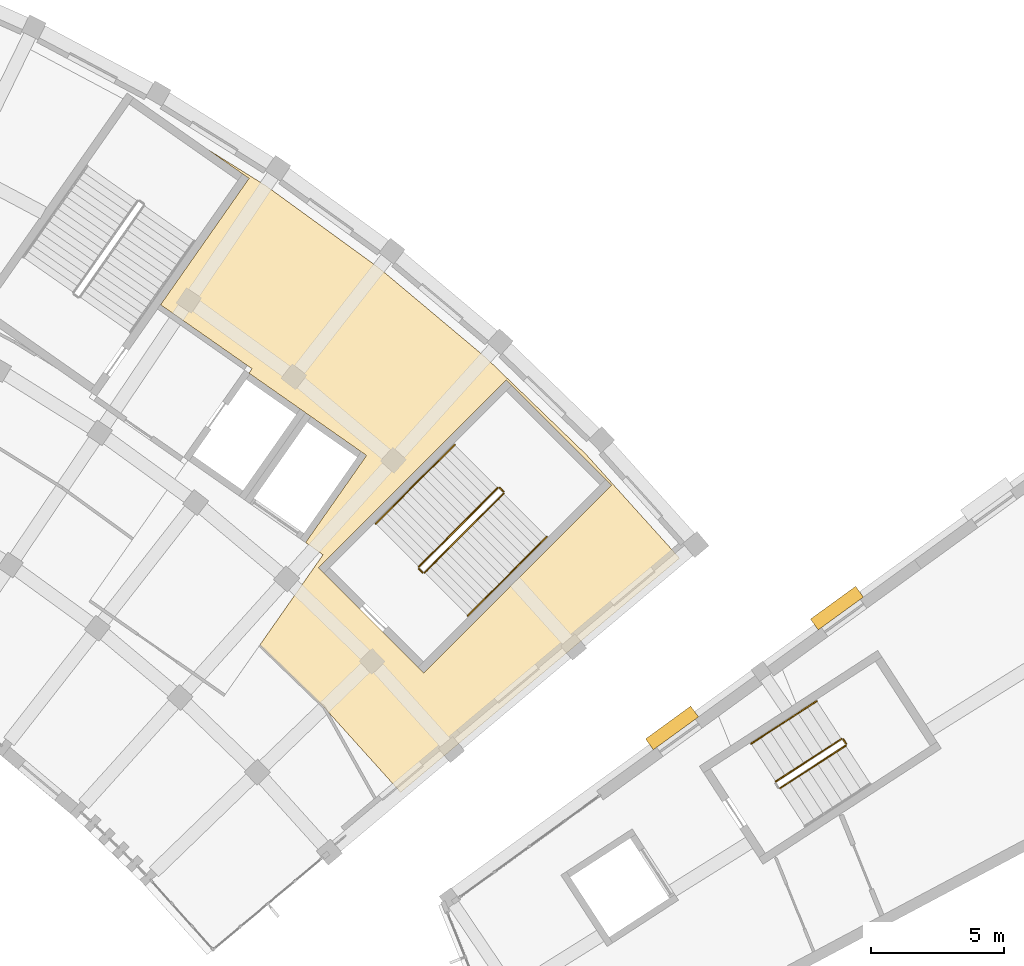
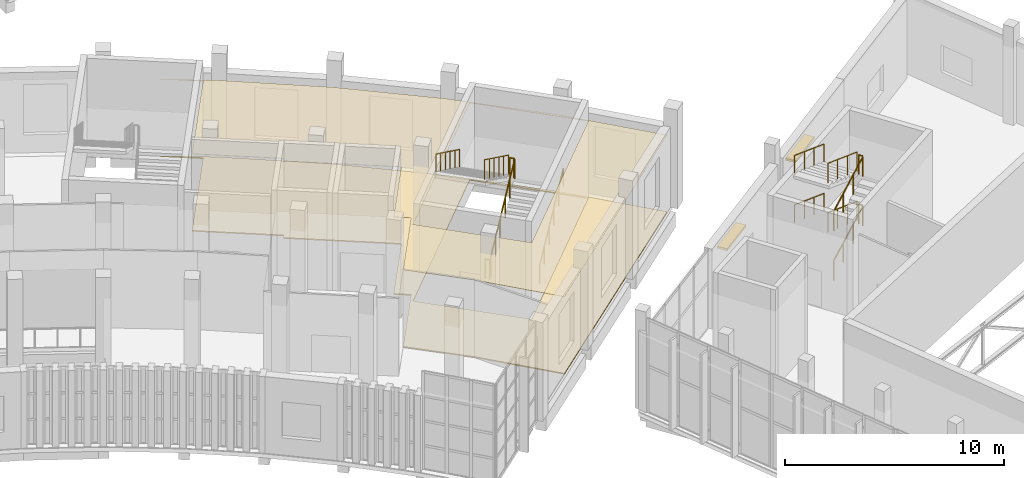
# One storey, part 104 of 112: 14 railings, 2 coverings, 2 shading devices.
"""IFC4 building model written with IfcOpenShell, lengths in metres."""

from ifc_helpers import new_model, si_unit, direction, frame, origin, origin_2d, place, context, subcontext, project, spatial, polyline, rectangle, circle, outline, extrude, material, layer, layer_set, type_object, element, save


model = new_model("IFC4")

# Units and contexts
model_context = context("Model", 3, precision=1e-05, world=origin(), true_north=direction((0.0, 1.0)))
body_context = subcontext(model_context, "Body", "Model", "MODEL_VIEW")
ifc_project = project(units=[si_unit("LENGTHUNIT", "METRE"), si_unit("AREAUNIT", "SQUARE_METRE"), si_unit("VOLUMEUNIT", "CUBIC_METRE"), si_unit("PLANEANGLEUNIT", "RADIAN"), si_unit("MASSUNIT", "GRAM", prefix="KILO")], contexts=[model_context])

# Site, building, storey
site_placement = place(None, origin())
site = spatial("IfcSite", under=ifc_project, at=site_placement, CompositionType="ELEMENT")
building_placement = place(site_placement, origin())
building = spatial("IfcBuilding", under=site, at=building_placement, Name="Lunette Opera House", CompositionType="ELEMENT")
storey_placement = place(building_placement, frame((0.0, 0.0, 6.0)))
storey = spatial("IfcBuildingStorey", under=building, at=storey_placement, Name="L01", CompositionType="ELEMENT", Elevation=6.0)

# Railings
ifc_material_1 = material(Name="Steel S355", Category="steel")
railing_type_1 = type_object("IfcRailingType", Name="STAIR GUARD 1100", PredefinedType="GUARDRAIL", material=ifc_material_1)
railing_1_placement = place(storey_placement, frame((157.38818359375, 39.686767578125, 0.171875)))
element("IfcRailing", 1, at=railing_1_placement, inside=storey, type_object=railing_type_1, Name="L01 ST21 stair guard 1", PredefinedType="GUARDRAIL", context=body_context, shape_type="SweptSolid", body=[
    extrude(circle(Radius=0.02392578125, at=origin_2d()), frame((0.0, 0.0, 1.076171875), z_axis=(0.776167955347, 0.504097991794, 0.378745983162), x_axis=(-0.544675991122, 0.838646567211, 0.0)), (0.0, 0.0, 1.0), 3.176513671875),
    extrude(circle(Radius=0.02099609375, at=origin_2d()), origin(), (0.0, 0.0, 1.0), 1.052001953125),
    extrude(circle(Radius=0.02099609375, at=origin_2d()), frame((0.82177734375, 0.53369140625, 0.401123046875)), (0.0, 0.0, 1.0), 1.052001953125),
    extrude(circle(Radius=0.02099609375, at=origin_2d()), frame((1.643798828125, 1.067626953125, 0.802001953125)), (0.0, 0.0, 1.0), 1.052001953125),
    extrude(circle(Radius=0.02099609375, at=origin_2d()), frame((2.465576171875, 1.601318359375, 1.203125)), (0.0, 0.0, 1.0), 1.052001953125),
])
railing_2_placement = place(storey_placement, frame((159.86865234375, 41.357177734375, 1.375)))
element("IfcRailing", 2, at=railing_2_placement, inside=storey, type_object=railing_type_1, Name="L01 ST21 stair guard 2", PredefinedType="GUARDRAIL", context=body_context, shape_type="SweptSolid", body=[
    extrude(circle(Radius=0.02392578125, at=origin_2d()), frame((0.0, 0.0, 1.076171875), z_axis=(-0.545116651234, 0.83836020692, 0.0), x_axis=(-0.83836020692, -0.545116651234, 0.0)), (0.0, 0.0, 1.0), 0.20068359375),
    extrude(circle(Radius=0.02099609375, at=origin_2d()), origin(), (0.0, 0.0, 1.0), 1.052001953125),
    extrude(circle(Radius=0.02099609375, at=origin_2d()), frame((-0.109375, 0.168212890625, 0.0)), (0.0, 0.0, 1.0), 1.052001953125),
])
railing_3_placement = place(storey_placement, frame((159.690185546875, 41.5400390625, 1.546875)))
element("IfcRailing", 3, at=railing_3_placement, inside=storey, type_object=railing_type_1, Name="L01 ST21 stair guard 3", PredefinedType="GUARDRAIL", context=body_context, shape_type="SweptSolid", body=[
    extrude(circle(Radius=0.02392578125, at=origin_2d()), frame((0.0, 0.0, 1.076171875), z_axis=(-0.776167955347, -0.504097991794, 0.378745983162), x_axis=(0.544675991122, -0.838646567211, 0.0)), (0.0, 0.0, 1.0), 3.176513671875),
    extrude(circle(Radius=0.02099609375, at=origin_2d()), origin(), (0.0, 0.0, 1.0), 1.052001953125),
    extrude(circle(Radius=0.02099609375, at=origin_2d()), frame((-0.82177734375, -0.53369140625, 0.401123046875)), (0.0, 0.0, 1.0), 1.052001953125),
    extrude(circle(Radius=0.02099609375, at=origin_2d()), frame((-1.643798828125, -1.067626953125, 0.802001953125)), (0.0, 0.0, 1.0), 1.052001953125),
    extrude(circle(Radius=0.02099609375, at=origin_2d()), frame((-2.465576171875, -1.601318359375, 1.203125)), (0.0, 0.0, 1.0), 1.052001953125),
])
railing_4_placement = place(storey_placement, frame((157.38818359375, 39.686767578125, 2.921875)))
element("IfcRailing", 4, at=railing_4_placement, inside=storey, type_object=railing_type_1, Name="L01 ST21 stair guard 5", PredefinedType="GUARDRAIL", context=body_context, shape_type="SweptSolid", body=[
    extrude(circle(Radius=0.02392578125, at=origin_2d()), frame((0.0, 0.0, 1.076171875), z_axis=(0.776167955347, 0.504097991794, 0.378745983162), x_axis=(-0.544675991122, 0.838646567211, 0.0)), (0.0, 0.0, 1.0), 3.176513671875),
    extrude(circle(Radius=0.02099609375, at=origin_2d()), origin(), (0.0, 0.0, 1.0), 1.052001953125),
    extrude(circle(Radius=0.02099609375, at=origin_2d()), frame((0.82177734375, 0.53369140625, 0.401123046875)), (0.0, 0.0, 1.0), 1.052001953125),
    extrude(circle(Radius=0.02099609375, at=origin_2d()), frame((1.643798828125, 1.067626953125, 0.802001953125)), (0.0, 0.0, 1.0), 1.052001953125),
    extrude(circle(Radius=0.02099609375, at=origin_2d()), frame((2.465576171875, 1.601318359375, 1.203125)), (0.0, 0.0, 1.0), 1.052001953125),
])
railing_5_placement = place(storey_placement, frame((159.86865234375, 41.357177734375, 4.125)))
element("IfcRailing", 5, at=railing_5_placement, inside=storey, type_object=railing_type_1, Name="L01 ST21 stair guard 6", PredefinedType="GUARDRAIL", context=body_context, shape_type="SweptSolid", body=[
    extrude(circle(Radius=0.02392578125, at=origin_2d()), frame((0.0, 0.0, 1.076171875), z_axis=(-0.545116651234, 0.83836020692, 0.0), x_axis=(-0.83836020692, -0.545116651234, 0.0)), (0.0, 0.0, 1.0), 0.20068359375),
    extrude(circle(Radius=0.02099609375, at=origin_2d()), origin(), (0.0, 0.0, 1.0), 1.052001953125),
    extrude(circle(Radius=0.02099609375, at=origin_2d()), frame((-0.109375, 0.168212890625, 0.0)), (0.0, 0.0, 1.0), 1.052001953125),
])
railing_6_placement = place(storey_placement, frame((159.690185546875, 41.5400390625, 4.296875)))
element("IfcRailing", 6, at=railing_6_placement, inside=storey, type_object=railing_type_1, Name="L01 ST21 stair guard 7", PredefinedType="GUARDRAIL", context=body_context, shape_type="SweptSolid", body=[
    extrude(circle(Radius=0.02392578125, at=origin_2d()), frame((0.0, 0.0, 1.076171875), z_axis=(-0.776167955347, -0.504097991794, 0.378745983162), x_axis=(0.544675991122, -0.838646567211, 0.0)), (0.0, 0.0, 1.0), 3.176513671875),
    extrude(circle(Radius=0.02099609375, at=origin_2d()), origin(), (0.0, 0.0, 1.0), 1.052001953125),
    extrude(circle(Radius=0.02099609375, at=origin_2d()), frame((-0.82177734375, -0.53369140625, 0.401123046875)), (0.0, 0.0, 1.0), 1.052001953125),
    extrude(circle(Radius=0.02099609375, at=origin_2d()), frame((-1.643798828125, -1.067626953125, 0.802001953125)), (0.0, 0.0, 1.0), 1.052001953125),
    extrude(circle(Radius=0.02099609375, at=origin_2d()), frame((-2.465576171875, -1.601318359375, 1.203125)), (0.0, 0.0, 1.0), 1.052001953125),
])
railing_7_placement = place(storey_placement, frame((144.012451171875, 47.800048828125, 0.171875)))
element("IfcRailing", 7, at=railing_7_placement, inside=storey, type_object=railing_type_1, Name="L01 ST4 stair guard 1", PredefinedType="GUARDRAIL", context=body_context, shape_type="SweptSolid", body=[
    extrude(circle(Radius=0.02392578125, at=origin_2d()), frame((0.0, 0.0, 1.076171875), z_axis=(0.602621891009, 0.602621891009, 0.523157445664), x_axis=(-0.707106781187, 0.707106781187, 0.0)), (0.0, 0.0, 1.0), 4.927978515625),
    extrude(circle(Radius=0.02099609375, at=origin_2d()), origin(), (0.0, 0.0, 1.0), 1.052001953125),
    extrude(circle(Radius=0.02099609375, at=origin_2d()), frame((0.593994140625, 0.593994140625, 0.515625)), (0.0, 0.0, 1.0), 1.052001953125),
    extrude(circle(Radius=0.02099609375, at=origin_2d()), frame((1.18798828125, 1.18798828125, 1.03125)), (0.0, 0.0, 1.0), 1.052001953125),
    extrude(circle(Radius=0.02099609375, at=origin_2d()), frame((1.78173828125, 1.78173828125, 1.546875)), (0.0, 0.0, 1.0), 1.052001953125),
    extrude(circle(Radius=0.02099609375, at=origin_2d()), frame((2.375732421875, 2.375732421875, 2.0625)), (0.0, 0.0, 1.0), 1.052001953125),
    extrude(circle(Radius=0.02099609375, at=origin_2d()), frame((2.9697265625, 2.9697265625, 2.578125)), (0.0, 0.0, 1.0), 1.052001953125),
])
railing_8_placement = place(storey_placement, frame((146.982177734375, 50.840576171875, 2.75)))
element("IfcRailing", 8, at=railing_8_placement, inside=storey, type_object=railing_type_1, Name="L01 ST4 stair guard 2", PredefinedType="GUARDRAIL", context=body_context, shape_type="SweptSolid", body=[
    extrude(circle(Radius=0.02392578125, at=origin_2d()), frame((0.0, 0.0, 1.076171875), z_axis=(-0.707106781187, 0.707106781187, 0.0), x_axis=(-0.707106781187, -0.707106781187, 0.0)), (0.0, 0.0, 1.0), 0.2001953125),
    extrude(circle(Radius=0.02099609375, at=origin_2d()), origin(), (0.0, 0.0, 1.0), 1.052001953125),
    extrude(circle(Radius=0.02099609375, at=origin_2d()), frame((-0.1416015625, 0.1416015625, 0.0)), (0.0, 0.0, 1.0), 1.052001953125),
])
railing_9_placement = place(storey_placement, frame((146.769775390625, 50.982177734375, 2.921875)))
element("IfcRailing", 9, at=railing_9_placement, inside=storey, type_object=railing_type_1, Name="L01 ST4 stair guard 3", PredefinedType="GUARDRAIL", context=body_context, shape_type="SweptSolid", body=[
    extrude(circle(Radius=0.02392578125, at=origin_2d()), frame((0.0, 0.0, 1.076171875), z_axis=(-0.602621891009, -0.602621891009, 0.523157445664), x_axis=(0.707106781187, -0.707106781187, 0.0)), (0.0, 0.0, 1.0), 4.927978515625),
    extrude(circle(Radius=0.02099609375, at=origin_2d()), origin(), (0.0, 0.0, 1.0), 1.052001953125),
    extrude(circle(Radius=0.02099609375, at=origin_2d()), frame((-0.593994140625, -0.593994140625, 0.515625)), (0.0, 0.0, 1.0), 1.052001953125),
    extrude(circle(Radius=0.02099609375, at=origin_2d()), frame((-1.18798828125, -1.18798828125, 1.03125)), (0.0, 0.0, 1.0), 1.052001953125),
    extrude(circle(Radius=0.02099609375, at=origin_2d()), frame((-1.78173828125, -1.78173828125, 1.546875)), (0.0, 0.0, 1.0), 1.052001953125),
    extrude(circle(Radius=0.02099609375, at=origin_2d()), frame((-2.375732421875, -2.375732421875, 2.0625)), (0.0, 0.0, 1.0), 1.052001953125),
    extrude(circle(Radius=0.02099609375, at=origin_2d()), frame((-2.9697265625, -2.9697265625, 2.578125)), (0.0, 0.0, 1.0), 1.052001953125),
])
railing_10_placement = place(storey_placement, frame((143.941650390625, 47.800048828125, 0.0)))
element("IfcRailing", 10, at=railing_10_placement, inside=storey, type_object=railing_type_1, Name="L01 ST4 stair guard 4", PredefinedType="GUARDRAIL", context=body_context, shape_type="SweptSolid", body=[
    extrude(circle(Radius=0.02392578125, at=origin_2d()), frame((0.0, 0.0, 1.076171875), z_axis=(-0.707106781187, 0.707106781187, 0.0), x_axis=(-0.707106781187, -0.707106781187, 0.0)), (0.0, 0.0, 1.0), 0.2001953125),
    extrude(circle(Radius=0.02099609375, at=origin_2d()), origin(), (0.0, 0.0, 1.0), 1.052001953125),
    extrude(circle(Radius=0.02099609375, at=origin_2d()), frame((-0.1416015625, 0.1416015625, 0.0)), (0.0, 0.0, 1.0), 1.052001953125),
])
ifc_material_2 = material(Name="Steel S355", Category="steel")
railing_type_2 = type_object("IfcRailingType", Name="STAIR HANDRAIL 1000", PredefinedType="HANDRAIL", material=ifc_material_2)
for number, where, name in (
    (11, (158.76416015625, 42.9658203125, 1.546875), "L01 ST21 stair handrail 2"),
    (12, (158.76416015625, 42.9658203125, 4.296875), "L01 ST21 stair handrail 4"),
):
    element("IfcRailing", number, at=place(storey_placement, frame(where)), inside=storey, type_object=railing_type_2, Name=name, PredefinedType="HANDRAIL", context=body_context, shape_type="SweptSolid", body=[
        extrude(circle(Radius=0.02392578125, at=origin_2d()), frame((0.0, 0.0, 0.97607421875), z_axis=(-0.776137883793, -0.504155314158, 0.378731309172), x_axis=(0.544734393305, -0.83860863384, 0.0)), (0.0, 0.0, 1.0), 3.1767578125),
        extrude(circle(Radius=0.02099609375, at=origin_2d()), origin(), (0.0, 0.0, 1.0), 0.951904296875),
        extrude(circle(Radius=0.02099609375, at=origin_2d()), frame((-0.82177734375, -0.533935546875, 0.401123046875)), (0.0, 0.0, 1.0), 0.951904296875),
        extrude(circle(Radius=0.02099609375, at=origin_2d()), frame((-1.643798828125, -1.067626953125, 0.802001953125)), (0.0, 0.0, 1.0), 0.951904296875),
        extrude(circle(Radius=0.02099609375, at=origin_2d()), frame((-2.465576171875, -1.6015625, 1.203125)), (0.0, 0.0, 1.0), 0.951904296875),
    ])
railing_11_placement = place(storey_placement, frame((145.638671875, 46.173583984375, 0.171875)))
element("IfcRailing", 13, at=railing_11_placement, inside=storey, type_object=railing_type_2, Name="L01 ST4 stair handrail 1", PredefinedType="HANDRAIL", context=body_context, shape_type="SweptSolid", body=[
    extrude(circle(Radius=0.02392578125, at=origin_2d()), frame((0.0, 0.0, 0.97607421875), z_axis=(0.602635448971, 0.602635448971, 0.523126209711), x_axis=(-0.707106781187, 0.707106781187, 0.0)), (0.0, 0.0, 1.0), 4.92822265625),
    extrude(circle(Radius=0.02099609375, at=origin_2d()), origin(), (0.0, 0.0, 1.0), 0.951904296875),
    extrude(circle(Radius=0.02099609375, at=origin_2d()), frame((0.593994140625, 0.593994140625, 0.515625)), (0.0, 0.0, 1.0), 0.951904296875),
    extrude(circle(Radius=0.02099609375, at=origin_2d()), frame((1.18798828125, 1.18798828125, 1.03125)), (0.0, 0.0, 1.0), 0.951904296875),
    extrude(circle(Radius=0.02099609375, at=origin_2d()), frame((1.781982421875, 1.781982421875, 1.546875)), (0.0, 0.0, 1.0), 0.951904296875),
    extrude(circle(Radius=0.02099609375, at=origin_2d()), frame((2.3759765625, 2.3759765625, 2.0625)), (0.0, 0.0, 1.0), 0.951904296875),
    extrude(circle(Radius=0.02099609375, at=origin_2d()), frame((2.969970703125, 2.969970703125, 2.578125)), (0.0, 0.0, 1.0), 0.951904296875),
])
railing_12_placement = place(storey_placement, frame((145.1435546875, 52.608642578125, 2.921875)))
element("IfcRailing", 14, at=railing_12_placement, inside=storey, type_object=railing_type_2, Name="L01 ST4 stair handrail 2", PredefinedType="HANDRAIL", context=body_context, shape_type="SweptSolid", body=[
    extrude(circle(Radius=0.02392578125, at=origin_2d()), frame((0.0, 0.0, 0.97607421875), z_axis=(-0.602635448971, -0.602635448971, 0.523126209711), x_axis=(0.707106781187, -0.707106781187, 0.0)), (0.0, 0.0, 1.0), 4.92822265625),
    extrude(circle(Radius=0.02099609375, at=origin_2d()), origin(), (0.0, 0.0, 1.0), 0.951904296875),
    extrude(circle(Radius=0.02099609375, at=origin_2d()), frame((-0.593994140625, -0.593994140625, 0.515625)), (0.0, 0.0, 1.0), 0.951904296875),
    extrude(circle(Radius=0.02099609375, at=origin_2d()), frame((-1.18798828125, -1.18798828125, 1.03125)), (0.0, 0.0, 1.0), 0.951904296875),
    extrude(circle(Radius=0.02099609375, at=origin_2d()), frame((-1.781982421875, -1.781982421875, 1.546875)), (0.0, 0.0, 1.0), 0.951904296875),
    extrude(circle(Radius=0.02099609375, at=origin_2d()), frame((-2.3759765625, -2.3759765625, 2.0625)), (0.0, 0.0, 1.0), 0.951904296875),
    extrude(circle(Radius=0.02099609375, at=origin_2d()), frame((-2.969970703125, -2.969970703125, 2.578125)), (0.0, 0.0, 1.0), 0.951904296875),
])

# Coverings
ifc_material_3 = material(Name="Mineral fibre board")
ifc_layer_1 = layer(ifc_material_3, 0.014892578125)
ifc_layer_set_1 = layer_set([ifc_layer_1], Name="Mineral fibre board")
covering_type_1 = type_object("IfcCoveringType", Name="SUSPENDED ACOUSTIC CEILING 15", PredefinedType="CEILING", material=ifc_layer_set_1)
covering_1_placement = place(storey_placement, frame((0.0, 0.0, 4.31494140625)))
element("IfcCovering", 15, at=covering_1_placement, inside=storey, type_object=covering_type_1, Name="Ceiling Promenade Foyer L01 Rear", PredefinedType="CEILING", context=body_context, shape_type="SweptSolid", body=[
    extrude(outline(polyline([(141.8310546875, 52.202880859375), (139.537109375, 53.80908203125), (137.407958984375, 55.300048828125), (137.52294921875, 55.464111328125), (134.08203125, 57.8740234375), (137.408935546875, 62.625), (135.81396484375, 63.741943359375), (138.051025390625, 62.343994140625), (142.298095703125, 59.258056640625), (146.319091796875, 55.884033203125), (150.093994140625, 52.238037109375), (153.60595703125, 48.337890625), (145.027099609375, 41.137939453125), (143.112060546875, 39.531005859375), (140.239013671875, 42.720947265625), (137.81103515625, 45.06689453125), (140.19189453125, 48.468017578125), (139.537109375, 48.927001953125), (141.8310546875, 52.202880859375)]), holes=[polyline([(151.048095703125, 51.087890625), (147.087890625, 55.048095703125), (140.01708984375, 47.97705078125), (143.97705078125, 44.01708984375), (151.048095703125, 51.087890625)])]), origin(), (0.0, 0.0, 1.0), 0.01513671875),
])
ifc_material_4 = material(Name="Terrazzo")
ifc_layer_2 = layer(ifc_material_4, 0.06005859375)
ifc_layer_set_2 = layer_set([ifc_layer_2], Name="Terrazzo")
covering_type_2 = type_object("IfcCoveringType", Name="TERRAZZO FLOOR FINISH 60", PredefinedType="FLOORING", material=ifc_layer_set_2)
covering_2_placement = place(storey_placement, origin())
element("IfcCovering", 16, at=covering_2_placement, inside=storey, type_object=covering_type_2, Name="Floor finish Promenade Foyer L01 Rear", PredefinedType="FLOORING", context=body_context, shape_type="SweptSolid", body=[
    extrude(outline(polyline([(141.8310546875, 52.202880859375), (139.537109375, 53.80908203125), (137.407958984375, 55.300048828125), (137.52294921875, 55.464111328125), (134.08203125, 57.8740234375), (137.408935546875, 62.625), (135.81396484375, 63.741943359375), (138.051025390625, 62.343994140625), (142.298095703125, 59.258056640625), (146.319091796875, 55.884033203125), (150.093994140625, 52.238037109375), (153.60595703125, 48.337890625), (145.027099609375, 41.137939453125), (143.112060546875, 39.531005859375), (140.239013671875, 42.720947265625), (137.81103515625, 45.06689453125), (140.19189453125, 48.468017578125), (139.537109375, 48.927001953125), (141.8310546875, 52.202880859375)]), holes=[polyline([(151.048095703125, 51.087890625), (147.087890625, 55.048095703125), (140.01708984375, 47.97705078125), (143.97705078125, 44.01708984375), (151.048095703125, 51.087890625)])]), origin(), (0.0, 0.0, 1.0), 0.06005859375),
])

# Shading devices
ifc_material_5 = material(Name="Powder-coated aluminium", Category="aluminium")
ifc_layer_3 = layer(ifc_material_5, 0.1201171875)
ifc_layer_set_3 = layer_set([ifc_layer_3], Name="Powder-coated aluminium")
shading_device_type = type_object("IfcShadingDeviceType", Name="WINDOW HOOD 500 X 2100", PredefinedType="USERDEFINED", material=ifc_layer_set_3)
for number, where, z_axis, x_axis, name in (
    (17, (159.52392578125, 46.4619140625, 2.579833984375), (0.0, 0.0, 1.0), (-0.587747127612, 0.809044692204, 0.0), "Window hood SB-N2002"),
    (18, (153.321044921875, 41.955078125, 2.579833984375), (0.0, 0.0, 1.0), (-0.58774430351, 0.809046743824, 0.0), "Window hood SB-N2003"),
):
    element("IfcShadingDevice", number, at=place(storey_placement, frame(where, z_axis=z_axis, x_axis=x_axis)), inside=storey, type_object=shading_device_type, Name=name, ObjectType="WINDOW HOOD", PredefinedType="USERDEFINED", context=body_context, shape_type="SweptSolid", body=[
        extrude(rectangle(XDim=0.5, YDim=2.10009765625, at=origin_2d()), origin(), (0.0, 0.0, 1.0), 0.1201171875),
    ])

save(model, "model.ifc")
